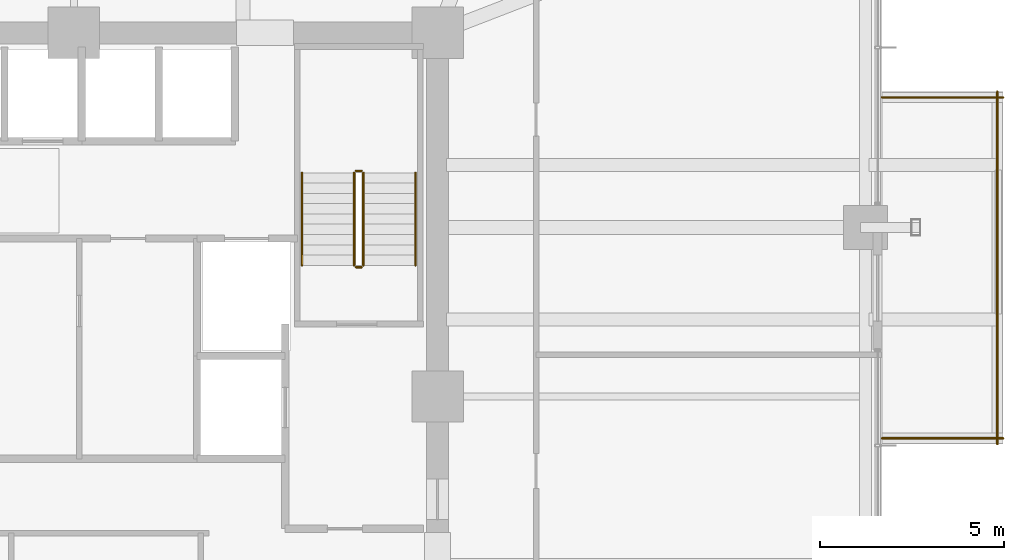
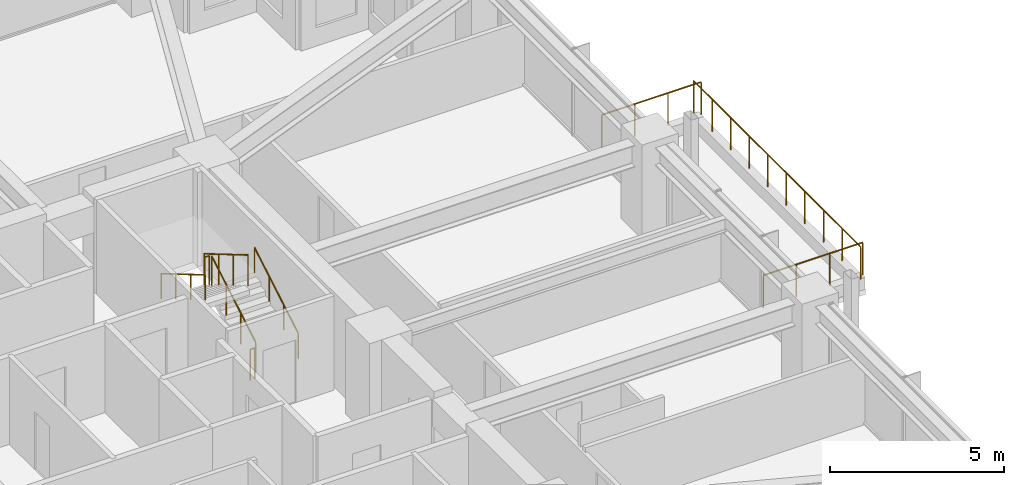
# One storey, part 38 of 38: 9 railings.
"""IFC4 building model written with IfcOpenShell, lengths in metres."""

from ifc_helpers import new_model, si_unit, direction, frame, origin, origin_2d, place, context, subcontext, project, spatial, circle, extrude, material, type_object, element, save


model = new_model("IFC4")

# Units and contexts
model_context = context("Model", 3, precision=1e-05, world=origin(), true_north=direction((0.0, 1.0)))
body_context = subcontext(model_context, "Body", "Model", "MODEL_VIEW")
ifc_project = project(units=[si_unit("LENGTHUNIT", "METRE"), si_unit("AREAUNIT", "SQUARE_METRE"), si_unit("VOLUMEUNIT", "CUBIC_METRE"), si_unit("PLANEANGLEUNIT", "RADIAN"), si_unit("MASSUNIT", "GRAM", prefix="KILO")], contexts=[model_context])

# Site, building, storey
site_placement = place(None, origin())
site = spatial("IfcSite", under=ifc_project, at=site_placement, CompositionType="ELEMENT")
building_placement = place(site_placement, origin())
building = spatial("IfcBuilding", under=site, at=building_placement, Name="Kolvaren Belvedere", CompositionType="ELEMENT")
storey_placement = place(building_placement, frame((0.0, 0.0, 53.5)))
storey = spatial("IfcBuildingStorey", under=building, at=storey_placement, Name="L15", CompositionType="ELEMENT", Elevation=53.5)

# Railings
ifc_material_1 = material(Name="Anodised pale-metal aluminium & laminated glass guard", Category="aluminium")
railing_type_1 = type_object("IfcRailingType", Name="RL-GUARD-1150", PredefinedType="GUARDRAIL", material=ifc_material_1)
railing_1_placement = place(storey_placement, frame((22.0, -1.139892578125, 0.360107421875)))
element("IfcRailing", 1, at=railing_1_placement, inside=storey, type_object=railing_type_1, Name="L15 Exterior Deck Safety Guard SPIRAL-02-E-1", PredefinedType="GUARDRAIL", context=body_context, shape_type="SweptSolid", body=[
    extrude(circle(Radius=0.02392578125, at=origin_2d()), frame((0.0, 0.0, 1.1259765625), z_axis=(1.0, 0.0, 0.0), x_axis=(0.0, 1.0, 0.0)), (0.0, 0.0, 1.0), 3.300048828125),
    extrude(circle(Radius=0.02099609375, at=origin_2d()), origin(), (0.0, 0.0, 1.0), 1.101806640625),
    extrude(circle(Radius=0.02099609375, at=origin_2d()), frame((1.10009765625, 0.0, 0.0)), (0.0, 0.0, 1.0), 1.101806640625),
    extrude(circle(Radius=0.02099609375, at=origin_2d()), frame((2.199951171875, 0.0, 0.0)), (0.0, 0.0, 1.0), 1.101806640625),
    extrude(circle(Radius=0.02099609375, at=origin_2d()), frame((3.300048828125, 0.0, 0.0)), (0.0, 0.0, 1.0), 1.101806640625),
])
railing_2_placement = place(storey_placement, frame((25.139892578125, -1.300048828125, 0.360107421875)))
element("IfcRailing", 2, at=railing_2_placement, inside=storey, type_object=railing_type_1, Name="L15 Exterior Deck Safety Guard SPIRAL-02-E-2", PredefinedType="GUARDRAIL", context=body_context, shape_type="SweptSolid", body=[
    extrude(circle(Radius=0.02392578125, at=origin_2d()), frame((0.0, 0.0, 1.1259765625), z_axis=(0.0, 1.0, 0.0), x_axis=(-1.0, 0.0, 0.0)), (0.0, 0.0, 1.0), 9.60009765625),
    extrude(circle(Radius=0.02099609375, at=origin_2d()), origin(), (0.0, 0.0, 1.0), 1.101806640625),
    extrude(circle(Radius=0.02099609375, at=origin_2d()), frame((0.0, 1.066650390625, 0.0)), (0.0, 0.0, 1.0), 1.101806640625),
    extrude(circle(Radius=0.02099609375, at=origin_2d()), frame((0.0, 2.13330078125, 0.0)), (0.0, 0.0, 1.0), 1.101806640625),
    extrude(circle(Radius=0.02099609375, at=origin_2d()), frame((0.0, 3.199951171875, 0.0)), (0.0, 0.0, 1.0), 1.101806640625),
    extrude(circle(Radius=0.02099609375, at=origin_2d()), frame((0.0, 4.2666015625, 0.0)), (0.0, 0.0, 1.0), 1.101806640625),
    extrude(circle(Radius=0.02099609375, at=origin_2d()), frame((0.0, 5.33349609375, 0.0)), (0.0, 0.0, 1.0), 1.101806640625),
    extrude(circle(Radius=0.02099609375, at=origin_2d()), frame((0.0, 6.400146484375, 0.0)), (0.0, 0.0, 1.0), 1.101806640625),
    extrude(circle(Radius=0.02099609375, at=origin_2d()), frame((0.0, 7.466796875, 0.0)), (0.0, 0.0, 1.0), 1.101806640625),
    extrude(circle(Radius=0.02099609375, at=origin_2d()), frame((0.0, 8.533447265625, 0.0)), (0.0, 0.0, 1.0), 1.101806640625),
    extrude(circle(Radius=0.02099609375, at=origin_2d()), frame((0.0, 9.60009765625, 0.0)), (0.0, 0.0, 1.0), 1.101806640625),
])
railing_3_placement = place(storey_placement, frame((25.300048828125, 8.139892578125, 0.360107421875)))
element("IfcRailing", 3, at=railing_3_placement, inside=storey, type_object=railing_type_1, Name="L15 Exterior Deck Safety Guard SPIRAL-02-E-3", PredefinedType="GUARDRAIL", context=body_context, shape_type="SweptSolid", body=[
    extrude(circle(Radius=0.02392578125, at=origin_2d()), frame((0.0, 0.0, 1.1259765625), z_axis=(-1.0, 0.0, 0.0), x_axis=(0.0, -1.0, 0.0)), (0.0, 0.0, 1.0), 3.300048828125),
    extrude(circle(Radius=0.02099609375, at=origin_2d()), origin(), (0.0, 0.0, 1.0), 1.101806640625),
    extrude(circle(Radius=0.02099609375, at=origin_2d()), frame((-1.10009765625, 0.0, 0.0)), (0.0, 0.0, 1.0), 1.101806640625),
    extrude(circle(Radius=0.02099609375, at=origin_2d()), frame((-2.199951171875, 0.0, 0.0)), (0.0, 0.0, 1.0), 1.101806640625),
    extrude(circle(Radius=0.02099609375, at=origin_2d()), frame((-3.300048828125, 0.0, 0.0)), (0.0, 0.0, 1.0), 1.101806640625),
])
ifc_material_2 = material(Name="Brushed stainless-steel handrail", Category="steel")
railing_type_2 = type_object("IfcRailingType", Name="RL-HANDRAIL-920", PredefinedType="HANDRAIL", material=ifc_material_2)
railing_4_placement = place(storey_placement, frame((9.300048828125, 3.570068359375, 0.1650390625)))
element("IfcRailing", 4, at=railing_4_placement, inside=storey, type_object=railing_type_2, Name="L15 ST-2 stair handrail 1", PredefinedType="HANDRAIL", context=body_context, shape_type="SweptSolid", body=[
    extrude(circle(Radius=0.02392578125, at=origin_2d()), frame((0.0, 0.0, 0.8759765625), z_axis=(0.0, 0.861560626758, 0.507654692109), x_axis=(-1.0, 0.0, 0.0)), (0.0, 0.0, 1.0), 2.925048828125),
    extrude(circle(Radius=0.02099609375, at=origin_2d()), origin(), (0.0, 0.0, 1.0), 0.851806640625),
    extrude(circle(Radius=0.02099609375, at=origin_2d()), frame((0.0, 0.840087890625, 0.494873046875)), (0.0, 0.0, 1.0), 0.851806640625),
    extrude(circle(Radius=0.02099609375, at=origin_2d()), frame((0.0, 1.679931640625, 0.989990234375)), (0.0, 0.0, 1.0), 0.851806640625),
    extrude(circle(Radius=0.02099609375, at=origin_2d()), frame((0.0, 2.52001953125, 1.48486328125)), (0.0, 0.0, 1.0), 0.851806640625),
])
railing_5_placement = place(storey_placement, frame((6.2099609375, 6.090087890625, 1.81494140625)))
element("IfcRailing", 5, at=railing_5_placement, inside=storey, type_object=railing_type_2, Name="L15 ST-2 stair handrail 2", PredefinedType="HANDRAIL", context=body_context, shape_type="SweptSolid", body=[
    extrude(circle(Radius=0.02392578125, at=origin_2d()), frame((0.0, 0.0, 0.8759765625), z_axis=(0.0, -0.86152411907, 0.507716645641), x_axis=(1.0, 0.0, 0.0)), (0.0, 0.0, 1.0), 2.925048828125),
    extrude(circle(Radius=0.02099609375, at=origin_2d()), origin(), (0.0, 0.0, 1.0), 0.851806640625),
    extrude(circle(Radius=0.02099609375, at=origin_2d()), frame((0.0, -0.840087890625, 0.4951171875)), (0.0, 0.0, 1.0), 0.851806640625),
    extrude(circle(Radius=0.02099609375, at=origin_2d()), frame((0.0, -1.679931640625, 0.989990234375)), (0.0, 0.0, 1.0), 0.851806640625),
    extrude(circle(Radius=0.02099609375, at=origin_2d()), frame((0.0, -2.52001953125, 1.485107421875)), (0.0, 0.0, 1.0), 0.851806640625),
])
ifc_material_3 = material(Name="Painted tubular steel stair guard", Category="steel")
railing_type_3 = type_object("IfcRailingType", Name="RL-STGUARD-1100", PredefinedType="GUARDRAIL", material=ifc_material_3)
railing_6_placement = place(storey_placement, frame((7.8798828125, 3.570068359375, 0.1650390625)))
element("IfcRailing", 6, at=railing_6_placement, inside=storey, type_object=railing_type_3, Name="L15 ST-2 stair guard 1", PredefinedType="GUARDRAIL", context=body_context, shape_type="SweptSolid", body=[
    extrude(circle(Radius=0.02392578125, at=origin_2d()), frame((0.0, 0.0, 1.076171875), z_axis=(0.0, 0.861560626758, 0.507654692109), x_axis=(-1.0, 0.0, 0.0)), (0.0, 0.0, 1.0), 2.925048828125),
    extrude(circle(Radius=0.02099609375, at=origin_2d()), origin(), (0.0, 0.0, 1.0), 1.052001953125),
    extrude(circle(Radius=0.02099609375, at=origin_2d()), frame((0.0, 0.840087890625, 0.494873046875)), (0.0, 0.0, 1.0), 1.052001953125),
    extrude(circle(Radius=0.02099609375, at=origin_2d()), frame((0.0, 1.679931640625, 0.989990234375)), (0.0, 0.0, 1.0), 1.052001953125),
    extrude(circle(Radius=0.02099609375, at=origin_2d()), frame((0.0, 2.52001953125, 1.48486328125)), (0.0, 0.0, 1.0), 1.052001953125),
])
railing_7_placement = place(storey_placement, frame((7.830078125, 6.139892578125, 1.64990234375)))
element("IfcRailing", 7, at=railing_7_placement, inside=storey, type_object=railing_type_3, Name="L15 ST-2 stair guard 2", PredefinedType="GUARDRAIL", context=body_context, shape_type="SweptSolid", body=[
    extrude(circle(Radius=0.02392578125, at=origin_2d()), frame((0.0, 0.0, 1.076171875), z_axis=(-1.0, 0.0, 0.0), x_axis=(0.0, -1.0, 0.0)), (0.0, 0.0, 1.0), 0.150146484375),
    extrude(circle(Radius=0.02099609375, at=origin_2d()), origin(), (0.0, 0.0, 1.0), 1.052001953125),
    extrude(circle(Radius=0.02099609375, at=origin_2d()), frame((-0.150146484375, 0.0, 0.0)), (0.0, 0.0, 1.0), 1.052001953125),
])
railing_8_placement = place(storey_placement, frame((7.6298828125, 6.090087890625, 1.81494140625)))
element("IfcRailing", 8, at=railing_8_placement, inside=storey, type_object=railing_type_3, Name="L15 ST-2 stair guard 3", PredefinedType="GUARDRAIL", context=body_context, shape_type="SweptSolid", body=[
    extrude(circle(Radius=0.02392578125, at=origin_2d()), frame((0.0, 0.0, 1.076171875), z_axis=(0.0, -0.86152411907, 0.507716645641), x_axis=(1.0, 0.0, 0.0)), (0.0, 0.0, 1.0), 2.925048828125),
    extrude(circle(Radius=0.02099609375, at=origin_2d()), origin(), (0.0, 0.0, 1.0), 1.052001953125),
    extrude(circle(Radius=0.02099609375, at=origin_2d()), frame((0.0, -0.840087890625, 0.4951171875)), (0.0, 0.0, 1.0), 1.052001953125),
    extrude(circle(Radius=0.02099609375, at=origin_2d()), frame((0.0, -1.679931640625, 0.989990234375)), (0.0, 0.0, 1.0), 1.052001953125),
    extrude(circle(Radius=0.02099609375, at=origin_2d()), frame((0.0, -2.52001953125, 1.485107421875)), (0.0, 0.0, 1.0), 1.052001953125),
])
railing_9_placement = place(storey_placement, frame((7.830078125, 3.52001953125, 0.0)))
element("IfcRailing", 9, at=railing_9_placement, inside=storey, type_object=railing_type_3, Name="L15 ST-2 stair guard 4", PredefinedType="GUARDRAIL", context=body_context, shape_type="SweptSolid", body=[
    extrude(circle(Radius=0.02392578125, at=origin_2d()), frame((0.0, 0.0, 1.076171875), z_axis=(-1.0, 0.0, 0.0), x_axis=(0.0, -1.0, 0.0)), (0.0, 0.0, 1.0), 0.150146484375),
    extrude(circle(Radius=0.02099609375, at=origin_2d()), origin(), (0.0, 0.0, 1.0), 1.052001953125),
    extrude(circle(Radius=0.02099609375, at=origin_2d()), frame((-0.150146484375, 0.0, 0.0)), (0.0, 0.0, 1.0), 1.052001953125),
])

save(model, "model.ifc")
